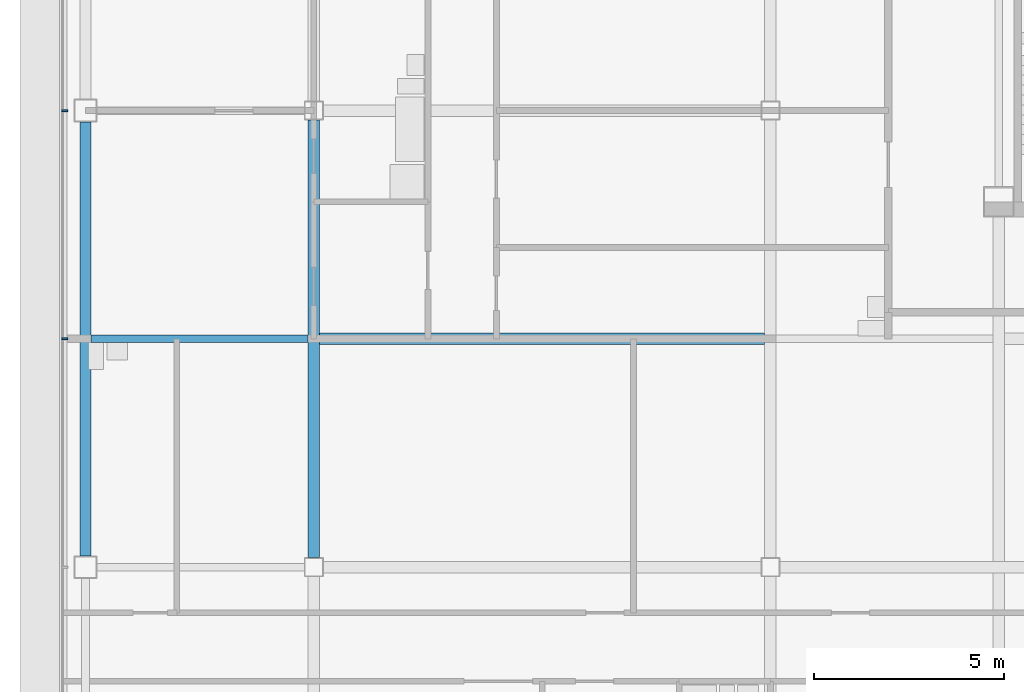
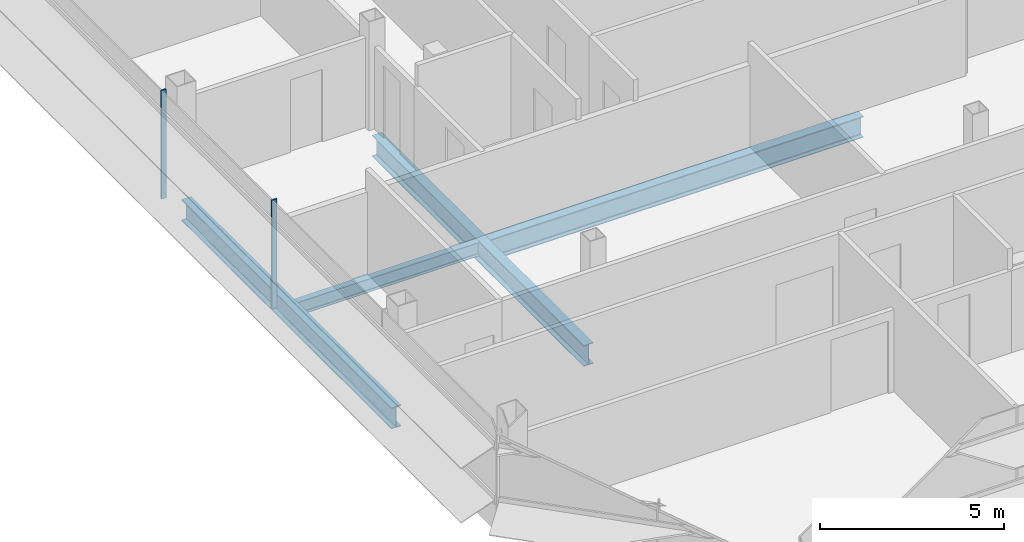
# One storey, part 5 of 27: 4 beams, 2 members, 1 element without a shape of its own.
"""IFC4 building model written with IfcOpenShell, lengths in metres."""

from ifc_helpers import new_model, si_unit, direction, frame, origin, origin_2d, place, context, subcontext, project, spatial, rectangle, i_section, extrude, material, material_profile, profile_set, type_object, element, aggregate, save


model = new_model("IFC4")

# Units and contexts
model_context = context("Model", 3, precision=1e-05, world=origin(), true_north=direction((0.0, 1.0)))
body_context = subcontext(model_context, "Body", "Model", "MODEL_VIEW")
ifc_project = project(units=[si_unit("LENGTHUNIT", "METRE"), si_unit("AREAUNIT", "SQUARE_METRE"), si_unit("VOLUMEUNIT", "CUBIC_METRE"), si_unit("PLANEANGLEUNIT", "RADIAN"), si_unit("MASSUNIT", "GRAM", prefix="KILO")], contexts=[model_context])

# Site, building, storey
site_placement = place(None, origin())
site = spatial("IfcSite", under=ifc_project, at=site_placement, CompositionType="ELEMENT")
building_placement = place(site_placement, origin())
building = spatial("IfcBuilding", under=site, at=building_placement, Name="Sorahane Residences", CompositionType="ELEMENT")
storey_placement = place(building_placement, frame((0.0, 0.0, 294.39990234375)))
storey = spatial("IfcBuildingStorey", under=building, at=storey_placement, Name="L69", CompositionType="ELEMENT", Elevation=294.39990234375)

# Curtain wall, members
ifc_material_1 = material(Name="Dark low-e glass and black anodised aluminium", Category="aluminium")
curtain_wall_type = type_object("IfcCurtainWallType", Name="Curtain wall CW-1 Typical unitised wall", PredefinedType="NOTDEFINED", material=ifc_material_1)
curtain_wall_placement = place(storey_placement, origin())
curtain_wall = element("IfcCurtainWall", 1, at=curtain_wall_placement, inside=storey, type_object=curtain_wall_type, Name="CW-1 curtain wall L69 W1", PredefinedType="NOTDEFINED")
ifc_material_2 = material(Name="Black anodised aluminium", Category="aluminium")
ifc_material_profile_1 = material_profile(ifc_material_2, rectangle(XDim=0.159912109375, YDim=0.050048828125, at=origin_2d()), Name="Curtain wall mullion CW-1 black anodised aluminium 50x160")
ifc_profile_set_1 = profile_set([ifc_material_profile_1], Name="Black anodised aluminium")
member_type = type_object("IfcMemberType", Name="Curtain wall mullion CW-1 black anodised aluminium 50x160", PredefinedType="MULLION", material=ifc_profile_set_1)
member_1_placement = place(storey_placement, frame((-18.5400390625, 24.0, -0.179931640625), z_axis=(0.0, 0.0, 1.0), x_axis=(-1.0, 0.0, 0.0)))
member_1 = element("IfcMember", 2, at=member_1_placement, type_object=member_type, Name="CW-1 mullion L69 W1.4", PredefinedType="MULLION", context=body_context, shape_type="SweptSolid", body=[
    extrude(rectangle(XDim=0.159912109375, YDim=0.050048828125, at=origin_2d()), origin(), (0.0, 0.0, 1.0), 3.60009765625),
])
member_2_placement = place(storey_placement, frame((-18.5400390625, 18.0, -0.179931640625), z_axis=(0.0, 0.0, 1.0), x_axis=(-1.0, 0.0, 0.0)))
member_2 = element("IfcMember", 3, at=member_2_placement, type_object=member_type, Name="CW-1 mullion L69 W1.5", PredefinedType="MULLION", context=body_context, shape_type="SweptSolid", body=[
    extrude(rectangle(XDim=0.159912109375, YDim=0.050048828125, at=origin_2d()), origin(), (0.0, 0.0, 1.0), 3.60009765625),
])
aggregate(curtain_wall, [member_1, member_2])

# Beams
ifc_material_3 = material(Name="Steel Q355B", Category="steel")
ifc_material_profile_2 = material_profile(ifc_material_3, i_section(OverallWidth=0.199951171875, OverallDepth=0.449951171875, WebThickness=0.009033203125, FlangeThickness=0.013916015625, FilletRadius=0.02001953125, at=origin_2d()), Name="HN 450x200x9x14")
ifc_profile_set_2 = profile_set([ifc_material_profile_2], Name="Steel Q355B")
beam_type_1 = type_object("IfcBeamType", Name="Steel floor beam HN 450x200x9x14 Q355B", PredefinedType="BEAM", material=ifc_profile_set_2)
beam_1_placement = place(storey_placement, frame((-17.85009765625, 18.0, -0.40478515625), z_axis=(1.0, 0.0, 0.0), x_axis=(0.0, 1.0, 0.0)))
element("IfcBeam", 4, at=beam_1_placement, inside=storey, type_object=beam_type_1, Name="Beam L69 076", PredefinedType="BEAM", context=body_context, shape_type="SweptSolid", body=[
    extrude(i_section(OverallWidth=0.199951171875, OverallDepth=0.449951171875, WebThickness=0.009033203125, FlangeThickness=0.013916015625, FilletRadius=0.02001953125, at=origin_2d()), origin(), (0.0, 0.0, 1.0), 5.7001953125),
])
ifc_material_4 = material(Name="Steel Q355B", Category="steel")
ifc_material_profile_3 = material_profile(ifc_material_4, i_section(OverallWidth=0.300048828125, OverallDepth=0.699951171875, WebThickness=0.012939453125, FlangeThickness=0.02392578125, FilletRadius=0.028076171875, at=origin_2d()), Name="HN 700x300x13x24")
ifc_profile_set_3 = profile_set([ifc_material_profile_3], Name="Steel Q355B")
beam_type_2 = type_object("IfcBeamType", Name="Steel floor beam HN 700x300x13x24 Q355B", PredefinedType="BEAM", material=ifc_profile_set_3)
beam_2_placement = place(storey_placement, frame((-18.0, 12.300048828125, -0.52978515625), z_axis=(0.0, 1.0, 0.0), x_axis=(-1.0, 0.0, 0.0)))
element("IfcBeam", 5, at=beam_2_placement, inside=storey, type_object=beam_type_2, Name="Beam L69 021", PredefinedType="BEAM", context=body_context, shape_type="SweptSolid", body=[
    extrude(i_section(OverallWidth=0.300048828125, OverallDepth=0.699951171875, WebThickness=0.012939453125, FlangeThickness=0.02392578125, FilletRadius=0.028076171875, at=origin_2d()), origin(), (0.0, 0.0, 1.0), 11.39990234375),
])
beam_3_placement = place(storey_placement, frame((-12.0, 12.25, -0.52978515625), z_axis=(0.0, 1.0, 0.0), x_axis=(-1.0, 0.0, 0.0)))
element("IfcBeam", 6, at=beam_3_placement, inside=storey, type_object=beam_type_2, Name="Beam L69 025", PredefinedType="BEAM", context=body_context, shape_type="SweptSolid", body=[
    extrude(i_section(OverallWidth=0.300048828125, OverallDepth=0.699951171875, WebThickness=0.012939453125, FlangeThickness=0.02392578125, FilletRadius=0.028076171875, at=origin_2d()), origin(), (0.0, 0.0, 1.0), 11.5),
])
beam_4_placement = place(storey_placement, frame((-11.85009765625, 18.0, -0.52978515625), z_axis=(1.0, 0.0, 0.0), x_axis=(0.0, 1.0, 0.0)))
element("IfcBeam", 7, at=beam_4_placement, inside=storey, type_object=beam_type_2, Name="Beam L69 077", PredefinedType="BEAM", context=body_context, shape_type="SweptSolid", body=[
    extrude(i_section(OverallWidth=0.300048828125, OverallDepth=0.699951171875, WebThickness=0.012939453125, FlangeThickness=0.02392578125, FilletRadius=0.028076171875, at=origin_2d()), origin(), (0.0, 0.0, 1.0), 11.7001953125),
])

save(model, "model.ifc")
